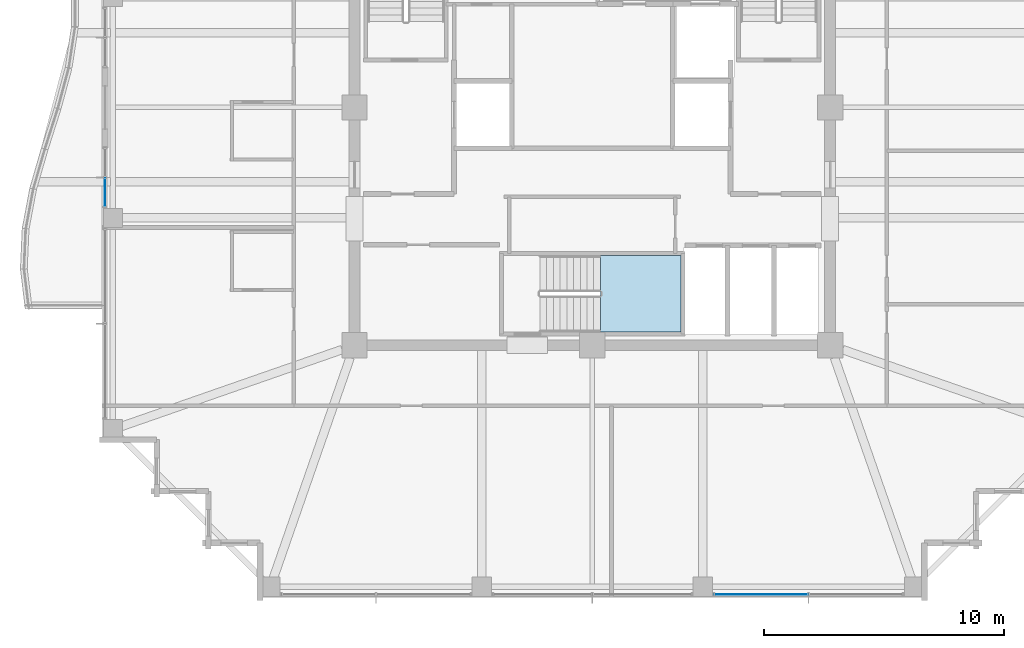
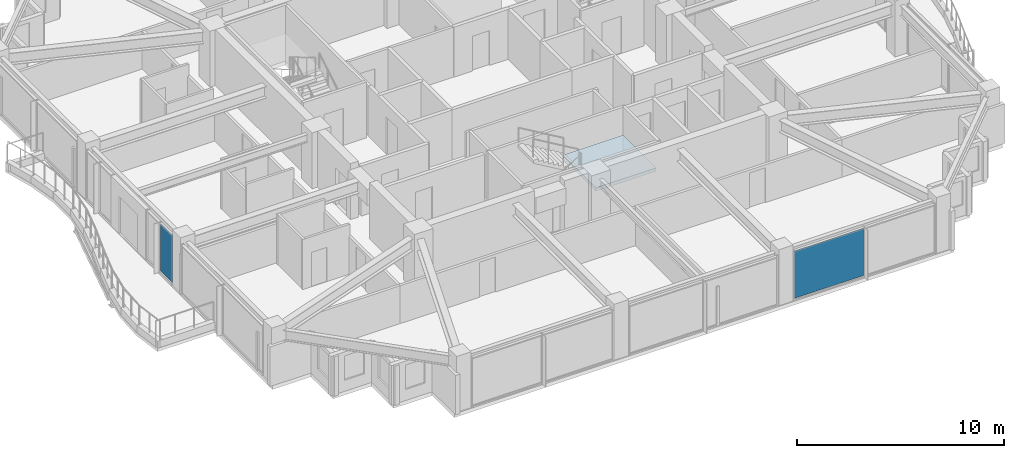
# One storey, part 22 of 34: 2 plates, 1 slab, 3 elements without a shape of their own.
"""IFC4 building model written with IfcOpenShell, lengths in metres."""

import ifcopenshell
import ifcopenshell.guid

model = None  # the IFC model being written
_history = None  # IfcOwnerHistory: only IFC2X3 demands one
_inside = {}  # id of a spatial element -> (the spatial element, [elements in it])
_under = {}  # id of a project, library or spatial element -> (it, [spatial elements below it])
_declared = {}  # id of a project -> (the project, [libraries it declares])
_typed = {}  # id of a type object -> (the type object, [elements of that type])
_made_of = {}  # id of a material, layer set ... -> (it, [elements and type objects made of it])


def new_model(schema):
    """Start an empty IFC model of exactly this schema.

    Asked for "IFC4X3", IfcOpenShell would pick the latest addendum, in which some entities
    have other attributes; the version numbers below select the first issue.
    IFC2X3 requires an IfcOwnerHistory on every rooted entity: one is made here for all.
    """
    global model, _history
    if schema == "IFC4X3":
        model = ifcopenshell.file(schema_version=(4, 3, 0, 0))
    else:
        model = ifcopenshell.file(schema=schema)
    _inside.clear()
    _under.clear()
    _declared.clear()
    _typed.clear()
    _made_of.clear()
    _history = None
    if model.schema == "IFC2X3":
        org = make("IfcOrganization", Name="unknown")
        user = make(
            "IfcPersonAndOrganization",
            ThePerson=make("IfcPerson", FamilyName="unknown"),
            TheOrganization=org,
        )
        app = make(
            "IfcApplication",
            ApplicationDeveloper=org,
            Version="unknown",
            ApplicationFullName="unknown",
            ApplicationIdentifier="unknown",
        )
        _history = make(
            "IfcOwnerHistory",
            OwningUser=user,
            OwningApplication=app,
            ChangeAction="ADDED",
            CreationDate=0,
        )
    return model


def make(cls, **values):
    """One entity of the class cls with the attributes given. An attribute that is None is left unset."""
    return model.create_entity(
        cls, **{name: value for name, value in values.items() if value is not None}
    )


def rooted(cls, **values):
    """An entity with a GlobalId (a new one), such as an element, a storey or a relation."""
    return make(cls, GlobalId=ifcopenshell.guid.new(), OwnerHistory=_history, **values)


def si_unit(unit_type, name, prefix=None):
    """IfcSIUnit, for example si_unit("LENGTHUNIT", "METRE", prefix="MILLI")."""
    return make("IfcSIUnit", UnitType=unit_type, Prefix=prefix, Name=name)


def assignment(units):
    """IfcUnitAssignment: the units of a project."""
    return None if units is None else make("IfcUnitAssignment", Units=units)


def point(xyz):
    """IfcCartesianPoint."""
    return None if xyz is None else make("IfcCartesianPoint", Coordinates=xyz)


def direction(xyz):
    """IfcDirection."""
    return None if xyz is None else make("IfcDirection", DirectionRatios=xyz)


def frame(location, z_axis=None, x_axis=None):
    """IfcAxis2Placement3D, a coordinate frame: its origin and axes. An axis left out is left unset."""
    return make(
        "IfcAxis2Placement3D",
        Location=point(location),
        Axis=direction(z_axis),
        RefDirection=direction(x_axis),
    )


def frame_2d(location, x_axis=None):
    """IfcAxis2Placement2D, a coordinate frame in the plane: its origin and x axis."""
    return make(
        "IfcAxis2Placement2D", Location=point(location), RefDirection=direction(x_axis)
    )


def origin():
    """The frame at (0, 0, 0) with its axes left unset."""
    return frame((0.0, 0.0, 0.0))


def origin_2d():
    """The frame at (0, 0) in the plane with its x axis left unset."""
    return frame_2d((0.0, 0.0))


def place(relative_to, where):
    """IfcLocalPlacement: puts the frame where relative to a parent placement (None: the world)."""
    return make(
        "IfcLocalPlacement", PlacementRelTo=relative_to, RelativePlacement=where
    )


def context(
    kind, dimensions, precision=None, world=None, true_north=None, identifier=None
):
    """IfcGeometricRepresentationContext, for example the 3D "Model" context."""
    return make(
        "IfcGeometricRepresentationContext",
        ContextIdentifier=identifier,
        ContextType=kind,
        CoordinateSpaceDimension=dimensions,
        Precision=precision,
        WorldCoordinateSystem=world,
        TrueNorth=true_north,
    )


def subcontext(parent, identifier, kind, view, scale=None):
    """IfcGeometricRepresentationSubContext, for example "Body" below "Model"."""
    return make(
        "IfcGeometricRepresentationSubContext",
        ContextIdentifier=identifier,
        ContextType=kind,
        ParentContext=parent,
        TargetScale=scale,
        TargetView=view,
    )


def project(units=None, contexts=None):
    """IfcProject with its units and contexts."""
    return rooted(
        "IfcProject",
        Name="project",
        RepresentationContexts=contexts,
        UnitsInContext=assignment(units),
    )


def spatial(cls, under=None, at=None, **own):
    """A site, building, storey or space (cls), placed at a placement, below another one or the project."""
    s = rooted(cls, ObjectPlacement=at, **own)
    if under is not None:
        _under.setdefault(under.id(), (under, []))[1].append(s)
    return s


def polyline(points):
    """IfcPolyline through the points."""
    return make("IfcPolyline", Points=[point(p) for p in points])


def profile(cls, at=None, kind="AREA", **sizes):
    """A parametric profile (cls). Its sizes go by their IFC names, for example OverallWidth=200.0."""
    return make(cls, ProfileType=kind, Position=at, **sizes)


def rectangle(**sizes):
    """IfcRectangleProfileDef."""
    return profile("IfcRectangleProfileDef", **sizes)


def outline(outer, holes=None, kind="AREA"):
    """IfcArbitraryClosedProfileDef: a profile drawn as a closed curve; with holes, ...WithVoids."""
    if holes is None:
        return make("IfcArbitraryClosedProfileDef", ProfileType=kind, OuterCurve=outer)
    return make(
        "IfcArbitraryProfileDefWithVoids",
        ProfileType=kind,
        OuterCurve=outer,
        InnerCurves=holes,
    )


def extrude(swept, where, along, depth):
    """IfcExtrudedAreaSolid: the profile swept, set in the frame where, extruded along a direction by depth."""
    return make(
        "IfcExtrudedAreaSolid",
        SweptArea=swept,
        Position=where,
        ExtrudedDirection=direction(along),
        Depth=depth,
    )


def shape(context_of_items, identifier, shape_type, items):
    """IfcShapeRepresentation: the items that make up one representation, for example the "Body"."""
    return make(
        "IfcShapeRepresentation",
        ContextOfItems=context_of_items,
        RepresentationIdentifier=identifier,
        RepresentationType=shape_type,
        Items=items,
    )


def material(Name=None, Category=None):
    """IfcMaterial."""
    return make("IfcMaterial", Name=Name, Category=Category)


def layer(
    of_material, thickness, ventilated=None, Name=None, Category=None, Priority=None
):
    """IfcMaterialLayer: one layer of a wall or slab, of a material (None: an air gap)."""
    return make(
        "IfcMaterialLayer",
        Material=of_material,
        LayerThickness=thickness,
        IsVentilated=ventilated,
        Name=Name,
        Category=Category,
        Priority=Priority,
    )


def layer_set(layers, Name=None):
    """IfcMaterialLayerSet."""
    return make("IfcMaterialLayerSet", MaterialLayers=layers, LayerSetName=Name)


def made_of(thing, what):
    """Note that an element or type object is made of a material, layer set ...; save() writes the relation."""
    if what is not None:
        _made_of.setdefault(what.id(), (what, []))[1].append(thing)
    return thing


def type_object(cls, material=None, **own):
    """A type object (cls), such as IfcWallType, which elements share."""
    return made_of(rooted(cls, **own), material)


def element(
    cls,
    number,
    at=None,
    inside=None,
    cuts=None,
    type_object=None,
    material=None,
    context=None,
    identifier="Body",
    shape_type=None,
    held_by="IfcProductDefinitionShape",
    body=None,
    shapes=None,
    **own,
):
    """One element of the class cls, such as IfcWall. Its Tag is "e" and its number.

    at: its placement. inside: the storey or other place that contains it. cuts: it is an
    opening in that element (IfcRelVoidsElement). A single representation is given by context,
    identifier, shape_type and body (its items); several are given by shapes. held_by: the class
    of the entity that holds the representations. save() writes the other relations.
    """
    e = rooted(cls, Tag="e%d" % number, ObjectPlacement=at, **own)
    if body is not None:
        shapes = [shape(context, identifier, shape_type, body)]
    if shapes is not None:
        e.Representation = make(held_by, Representations=shapes)
    if inside is not None:
        _inside.setdefault(inside.id(), (inside, []))[1].append(e)
    if cuts is not None:
        rooted(
            "IfcRelVoidsElement", RelatingBuildingElement=cuts, RelatedOpeningElement=e
        )
    if type_object is not None:
        _typed.setdefault(type_object.id(), (type_object, []))[1].append(e)
    return made_of(e, material)


def aggregate(whole, parts):
    """IfcRelAggregates: a whole, such as a stair, and the parts it consists of."""
    return rooted("IfcRelAggregates", RelatingObject=whole, RelatedObjects=parts)


def save(model, path):
    """Write the relations noted so far, then the file.

    IfcRelAggregates (storeys below a building ...), IfcRelContainedInSpatialStructure (elements
    in a storey), IfcRelDefinesByType, IfcRelAssociatesMaterial and IfcRelDeclares: one each for
    every whole, place, type object, material and project.
    """
    for whole, parts in _under.values():
        aggregate(whole, parts)
    for where, things in _inside.values():
        rooted(
            "IfcRelContainedInSpatialStructure",
            RelatedElements=things,
            RelatingStructure=where,
        )
    for kind, things in _typed.values():
        rooted("IfcRelDefinesByType", RelatedObjects=things, RelatingType=kind)
    for what, things in _made_of.values():
        rooted("IfcRelAssociatesMaterial", RelatedObjects=things, RelatingMaterial=what)
    for by, libraries in _declared.values():
        rooted("IfcRelDeclares", RelatingContext=by, RelatedDefinitions=libraries)
    model.write(path)


model = new_model("IFC4")

# Units and contexts
model_context = context("Model", 3, precision=1e-05, world=origin(), true_north=direction((0.0, 1.0)))
body_context = subcontext(model_context, "Body", "Model", "MODEL_VIEW")
ifc_project = project(units=[si_unit("LENGTHUNIT", "METRE"), si_unit("AREAUNIT", "SQUARE_METRE"), si_unit("VOLUMEUNIT", "CUBIC_METRE"), si_unit("PLANEANGLEUNIT", "RADIAN"), si_unit("MASSUNIT", "GRAM", prefix="KILO")], contexts=[model_context])

# Site, building, storey
site_placement = place(None, origin())
site = spatial("IfcSite", under=ifc_project, at=site_placement, CompositionType="ELEMENT")
building_placement = place(site_placement, origin())
building = spatial("IfcBuilding", under=site, at=building_placement, Name="Kolvaren Belvedere", CompositionType="ELEMENT")
storey_placement = place(building_placement, frame((0.0, 0.0, 229.5)))
storey = spatial("IfcBuildingStorey", under=building, at=storey_placement, Name="L67", CompositionType="ELEMENT", Elevation=229.5)

# Curtain wall, plate
ifc_material_1 = material(Name="Anodised pale-metal aluminium AA 6063-T6", Category="aluminium")
curtain_wall_type = type_object("IfcCurtainWallType", Name="CW-Z5-HIGH", PredefinedType="NOTDEFINED", material=ifc_material_1)
curtain_wall_1_placement = place(storey_placement, origin())
curtain_wall_1 = element("IfcCurtainWall", 1, at=curtain_wall_1_placement, inside=storey, type_object=curtain_wall_type, Name="L67 Unitised Curtain Wall FCW-L67-S-B1", PredefinedType="NOTDEFINED")
ifc_material_2 = material(Name="Low-iron triple insulated glass", Category="glass")
ifc_layer_1 = layer(ifc_material_2, 0.028076171875)
ifc_layer_set_1 = layer_set([ifc_layer_1], Name="Low-iron triple insulated glass")
plate_type = type_object("IfcPlateType", Name="CW-PNL-VIS28", PredefinedType="CURTAIN_PANEL", material=ifc_layer_set_1)
plate_1_placement = place(storey_placement, frame((7.027587890625, -20.280029296875, 0.080078125), z_axis=(0.0, 0.0, 1.0), x_axis=(-1.0, 0.0, 0.0)))
plate_1 = element("IfcPlate", 2, at=plate_1_placement, type_object=plate_type, Name="FCW-L67-S-B1 Vision Glazing Panel 2", PredefinedType="CURTAIN_PANEL", context=body_context, shape_type="SweptSolid", body=[
    extrude(rectangle(XDim=3.864990234375, YDim=0.028076171875, at=origin_2d()), origin(), (0.0, 0.0, 1.0), 2.7900390625),
])
aggregate(curtain_wall_1, [plate_1])

curtain_wall_2_placement = place(storey_placement, origin())
curtain_wall_2 = element("IfcCurtainWall", 3, at=curtain_wall_2_placement, inside=storey, type_object=curtain_wall_type, Name="L67 Unitised Curtain Wall FCW-L67-W1-B2", PredefinedType="NOTDEFINED")
plate_2_placement = place(storey_placement, frame((-20.280029296875, -3.52880859375, 0.080078125), z_axis=(0.0, 0.0, 1.0), x_axis=(0.0, 1.0, 0.0)))
plate_2 = element("IfcPlate", 4, at=plate_2_placement, type_object=plate_type, Name="FCW-L67-W1-B2 Vision Glazing Panel 1", PredefinedType="CURTAIN_PANEL", context=body_context, shape_type="SweptSolid", body=[
    extrude(rectangle(XDim=1.152587890625, YDim=0.028076171875, at=origin_2d()), origin(), (0.0, 0.0, 1.0), 2.7900390625),
])
aggregate(curtain_wall_2, [plate_2])

# Stair, slab
ifc_material_3 = material(Name="Concrete C50/60", Category="concrete")
stair_type = type_object("IfcStairType", Name="ST-CORE-1520", PredefinedType="HALF_TURN_STAIR", material=ifc_material_3)
stair_placement = place(storey_placement, origin())
stair = element("IfcStair", 5, at=stair_placement, inside=storey, type_object=stair_type, Name="L67 Protected Exit Stair ST-3", PredefinedType="HALF_TURN_STAIR")
ifc_material_4 = material(Name="Concrete C50/60", Category="concrete")
ifc_layer_2 = layer(ifc_material_4, 0.260009765625)
ifc_layer_set_2 = layer_set([ifc_layer_2], Name="Concrete C50/60")
slab_type = type_object("IfcSlabType", Name="SL-LAND-260", PredefinedType="LANDING", material=ifc_layer_set_2)
slab_placement = place(storey_placement, frame((0.0, 0.0, 1.449951171875)))
slab = element("IfcSlab", 6, at=slab_placement, type_object=slab_type, Name="ST-3 landing 1", PredefinedType="LANDING", context=body_context, shape_type="SweptSolid", body=[
    extrude(outline(polyline([(0.340087890625, -9.35009765625), (3.699951171875, -9.35009765625), (3.699951171875, -6.159912109375), (0.340087890625, -6.159912109375), (0.340087890625, -9.35009765625)])), origin(), (0.0, 0.0, 1.0), 0.199951171875),
])
aggregate(stair, [slab])

save(model, "model.ifc")
